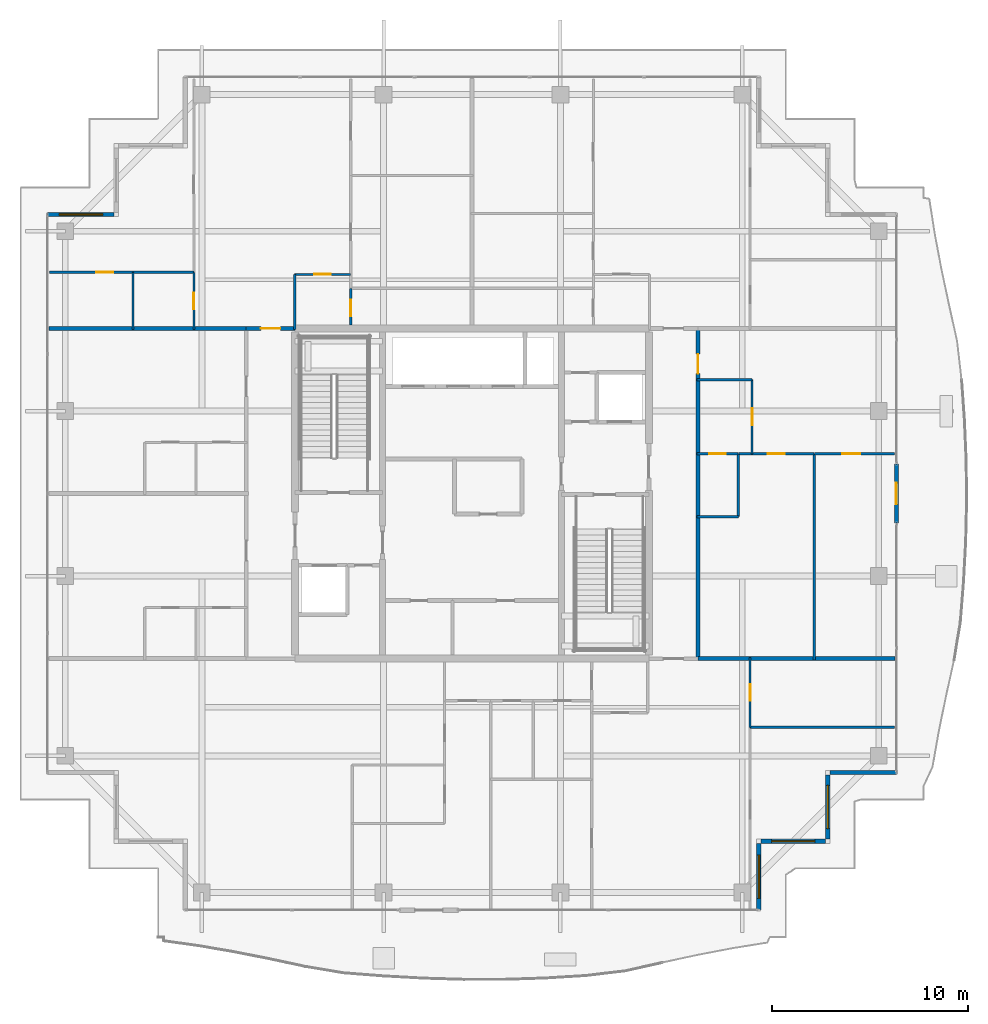
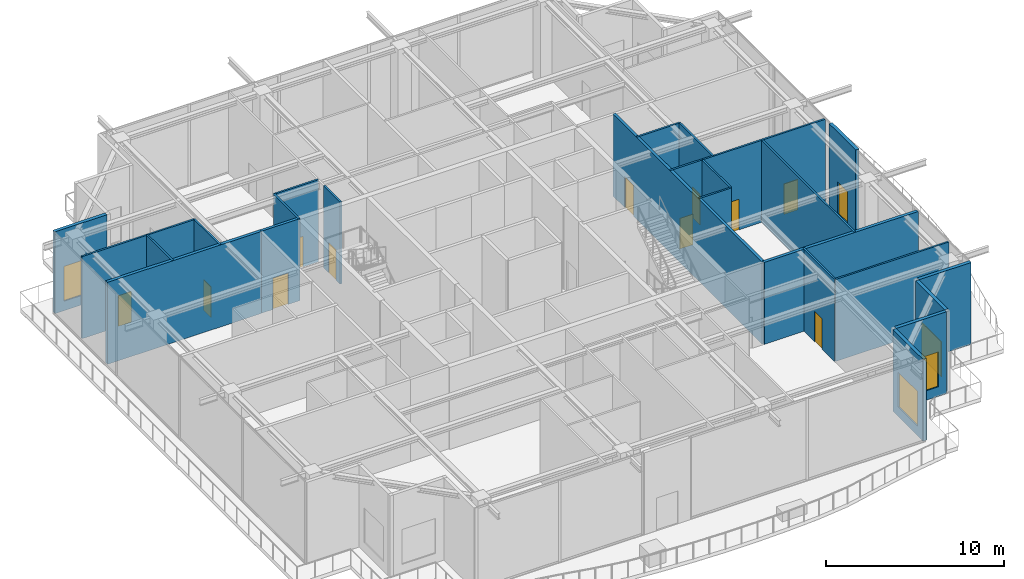
# One storey, part 29 of 38: 27 walls, 12 doors, 4 windows, 16 openings.
"""IFC4 building model written with IfcOpenShell, lengths in metres."""

from ifc_helpers import new_model, si_unit, direction, frame, frame_2d, origin, place, context, subcontext, project, spatial, rectangle, extrude, source, transform, mapped, material, layer, layer_set, type_object, element, fill, save


model = new_model("IFC4")

# Units and contexts
model_context = context("Model", 3, precision=1e-05, world=origin(), true_north=direction((0.0, 1.0)))
body_context = subcontext(model_context, "Body", "Model", "MODEL_VIEW")
ifc_project = project(units=[si_unit("LENGTHUNIT", "METRE"), si_unit("AREAUNIT", "SQUARE_METRE"), si_unit("VOLUMEUNIT", "CUBIC_METRE"), si_unit("PLANEANGLEUNIT", "RADIAN"), si_unit("MASSUNIT", "GRAM", prefix="KILO")], contexts=[model_context])

# Site, building, storey
site_placement = place(None, origin())
site = spatial("IfcSite", under=ifc_project, at=site_placement, CompositionType="ELEMENT")
building_placement = place(site_placement, origin())
building = spatial("IfcBuilding", under=site, at=building_placement, Name="Serunith Strait Residences", CompositionType="ELEMENT")
storey_placement = place(building_placement, frame((0.0, 0.0, 342.050048828125)))
storey = spatial("IfcBuildingStorey", under=building, at=storey_placement, Name="L85", CompositionType="ELEMENT", Elevation=342.050048828125)

# Wall, opening, window
ifc_material_1 = material(Name="Pale-Champagne Aluminium Insulated Panel", Category="aluminium")
ifc_layer_1 = layer(ifc_material_1, 0.219970703125, Name="Pale-Champagne Aluminium Insulated Panel")
ifc_layer_set_1 = layer_set([ifc_layer_1], Name="Pale-Champagne Aluminium Insulated Panel")
wall_type_1 = type_object("IfcWallType", Name="EW-ALUM-220", PredefinedType="ELEMENTEDWALL", material=ifc_layer_set_1)
wall_1_placement = place(storey_placement, frame((47.0, 4.0, 0.0), z_axis=(0.0, 0.0, 1.0), x_axis=(0.0, 1.0, 0.0)))
wall_1 = element("IfcWall", 1, at=wall_1_placement, inside=storey, type_object=wall_type_1, Name="L85 Girih Serrated Corner Wall 02", PredefinedType="ELEMENTEDWALL", context=body_context, shape_type="SweptSolid", body=[
    extrude(rectangle(XDim=3.389892578125, YDim=0.219970703125, at=frame_2d((1.69482421875, 0.0))), origin(), (0.0, 0.0, 1.0), 5.625),
])
opening_1_placement = place(wall_1_placement, frame((0.594970703125, 0.0, 0.64990234375)))
opening_1 = element("IfcOpeningElement", 2, at=opening_1_placement, cuts=wall_1, Name="Opening W-06", PredefinedType="OPENING", context=body_context, shape_type="SweptSolid", body=[
    extrude(rectangle(XDim=2.199951171875, YDim=2.39990234375, at=frame_2d((1.10009765625, 1.199951171875))), frame((0.0, 0.1201171875, 0.0), z_axis=(0.0, -1.0, 0.0), x_axis=(1.0, 0.0, 0.0)), (0.0, 0.0, 1.0), 0.239990234375),
])
ifc_material_2 = material(Name="Crown Penthouse Low-E Operable Window Glass", Category="glass")
window_type = type_object("IfcWindowType", Name="WIN-C6", PartitioningType="TRIPLE_PANEL_VERTICAL", PredefinedType="WINDOW", material=ifc_material_2)
shared_shape_1 = source(origin(), body_context, "Body", "SweptSolid", [
    extrude(rectangle(XDim=2.199951171875, YDim=2.39990234375, at=frame_2d((1.10009765625, 1.199951171875))), frame((0.0, 0.030029296875, 0.0), z_axis=(0.0, -1.0, 0.0), x_axis=(1.0, 0.0, 0.0)), (0.0, 0.0, 1.0), 0.06005859375),
])
window_1_placement = place(opening_1_placement, origin())
window_1 = element("IfcWindow", 3, at=window_1_placement, inside=storey, type_object=window_type, Name="L85 Corner Operable Fritted Window 02", OverallHeight=2.39990234375, OverallWidth=2.199951171875, PartitioningType="SINGLE_PANEL", PredefinedType="WINDOW", context=body_context, shape_type="MappedRepresentation", body=[
    mapped(shared_shape_1, transform((0.0, 0.0, 0.0), scale=1.0)),
])
fill(opening_1, window_1)

wall_2_placement = place(storey_placement, frame((47.110107421875, 7.5, 0.0), z_axis=(0.0, 0.0, 1.0), x_axis=(1.0, 0.0, 0.0)))
wall_2 = element("IfcWall", 4, at=wall_2_placement, inside=storey, type_object=wall_type_1, Name="L85 Girih Serrated Corner Wall 03", PredefinedType="ELEMENTEDWALL", context=body_context, shape_type="SweptSolid", body=[
    extrude(rectangle(XDim=3.27978515625, YDim=0.219970703125, at=frame_2d((1.639892578125, 0.0))), origin(), (0.0, 0.0, 1.0), 5.625),
])
opening_2_placement = place(wall_2_placement, frame((0.5400390625, 0.0, 0.64990234375)))
opening_2 = element("IfcOpeningElement", 5, at=opening_2_placement, cuts=wall_2, Name="Opening W-06", PredefinedType="OPENING", context=body_context, shape_type="SweptSolid", body=[
    extrude(rectangle(XDim=2.199951171875, YDim=2.39990234375, at=frame_2d((1.10009765625, 1.199951171875))), frame((0.0, 0.1201171875, 0.0), z_axis=(0.0, -1.0, 0.0), x_axis=(1.0, 0.0, 0.0)), (0.0, 0.0, 1.0), 0.239990234375),
])
window_2_placement = place(opening_2_placement, origin())
window_2 = element("IfcWindow", 6, at=window_2_placement, inside=storey, type_object=window_type, Name="L85 Corner Operable Fritted Window 03", OverallHeight=2.39990234375, OverallWidth=2.199951171875, PartitioningType="SINGLE_PANEL", PredefinedType="WINDOW", context=body_context, shape_type="MappedRepresentation", body=[
    mapped(shared_shape_1, transform((0.0, 0.0, 0.0), scale=1.0)),
])
fill(opening_2, window_2)

wall_3_placement = place(storey_placement, frame((50.5, 7.610107421875, 0.0), z_axis=(0.0, 0.0, 1.0), x_axis=(0.0, 1.0, 0.0)))
wall_3 = element("IfcWall", 7, at=wall_3_placement, inside=storey, type_object=wall_type_1, Name="L85 Girih Serrated Corner Wall 04", PredefinedType="ELEMENTEDWALL", context=body_context, shape_type="SweptSolid", body=[
    extrude(rectangle(XDim=3.27978515625, YDim=0.219970703125, at=frame_2d((1.639892578125, 0.0))), origin(), (0.0, 0.0, 1.0), 5.625),
])
opening_3_placement = place(wall_3_placement, frame((0.5400390625, 0.0, 0.64990234375)))
opening_3 = element("IfcOpeningElement", 8, at=opening_3_placement, cuts=wall_3, Name="Opening W-06", PredefinedType="OPENING", context=body_context, shape_type="SweptSolid", body=[
    extrude(rectangle(XDim=2.199951171875, YDim=2.39990234375, at=frame_2d((1.10009765625, 1.199951171875))), frame((0.0, 0.1201171875, 0.0), z_axis=(0.0, -1.0, 0.0), x_axis=(1.0, 0.0, 0.0)), (0.0, 0.0, 1.0), 0.239990234375),
])
window_3_placement = place(opening_3_placement, origin())
window_3 = element("IfcWindow", 9, at=window_3_placement, inside=storey, type_object=window_type, Name="L85 Corner Operable Fritted Window 04", OverallHeight=2.39990234375, OverallWidth=2.199951171875, PartitioningType="SINGLE_PANEL", PredefinedType="WINDOW", context=body_context, shape_type="MappedRepresentation", body=[
    mapped(shared_shape_1, transform((0.0, 0.0, 0.0), scale=1.0)),
])
fill(opening_3, window_3)

# Wall
wall_4_placement = place(storey_placement, frame((50.610107421875, 11.0, 0.0), z_axis=(0.0, 0.0, 1.0), x_axis=(1.0, 0.0, 0.0)))
element("IfcWall", 10, at=wall_4_placement, inside=storey, type_object=wall_type_1, Name="L85 Girih Serrated Corner Wall 05", PredefinedType="ELEMENTEDWALL", context=body_context, shape_type="SweptSolid", body=[
    extrude(rectangle(XDim=3.389892578125, YDim=0.219970703125, at=frame_2d((1.69482421875, 0.0))), origin(), (0.0, 0.0, 1.0), 5.625),
])

# Wall, opening, door
wall_5_placement = place(storey_placement, frame((54.0, 23.699951171875, 0.0), z_axis=(0.0, 0.0, 1.0), x_axis=(0.0, 1.0, 0.0)))
wall_5 = element("IfcWall", 11, at=wall_5_placement, inside=storey, type_object=wall_type_1, Name="L85 E Facade Pier Wall", PredefinedType="ELEMENTEDWALL", context=body_context, shape_type="SweptSolid", body=[
    extrude(rectangle(XDim=3.0, YDim=0.219970703125, at=frame_2d((1.5, 0.0))), origin(), (0.0, 0.0, 1.0), 5.625),
])
opening_4_placement = place(wall_5_placement, frame((0.949951171875, 0.0, 0.0)))
opening_4 = element("IfcOpeningElement", 12, at=opening_4_placement, cuts=wall_5, Name="Opening ED-03", PredefinedType="OPENING", context=body_context, shape_type="SweptSolid", body=[
    extrude(rectangle(XDim=1.10009765625, YDim=2.199951171875, at=frame_2d((0.550048828125, 1.10009765625))), frame((0.0, 0.1201171875, 0.0), z_axis=(0.0, -1.0, 0.0), x_axis=(1.0, 0.0, 0.0)), (0.0, 0.0, 1.0), 0.239990234375),
])
ifc_material_3 = material(Name="Thermally-Broken Aluminium Glazed Balcony Door", Category="aluminium")
door_type_1 = type_object("IfcDoorType", Name="ED-BALC-1100", OperationType="NOTDEFINED", PredefinedType="DOOR", material=ifc_material_3)
shared_shape_2 = source(origin(), body_context, "Body", "SweptSolid", [
    extrude(rectangle(XDim=1.10009765625, YDim=2.199951171875, at=frame_2d((0.550048828125, 1.10009765625))), frame((0.0, 0.02490234375, 0.0), z_axis=(0.0, -1.0, 0.0), x_axis=(1.0, 0.0, 0.0)), (0.0, 0.0, 1.0), 0.050048828125),
])
door_1_placement = place(opening_4_placement, origin())
door_1 = element("IfcDoor", 13, at=door_1_placement, inside=storey, type_object=door_type_1, Name="L85 E Vertical-Forest Balcony Door", OperationType="SINGLE_SWING_RIGHT", OverallHeight=2.199951171875, OverallWidth=1.10009765625, PredefinedType="DOOR", context=body_context, shape_type="MappedRepresentation", body=[
    mapped(shared_shape_2, transform((0.0, 0.0, 0.0), scale=1.0)),
])
fill(opening_4, door_1)

# Wall, opening, window
wall_6_placement = place(storey_placement, frame((14.18994140625, 39.39990234375, 0.0), z_axis=(0.0, 0.0, 1.0), x_axis=(-1.0, 0.0, 0.0)))
wall_6 = element("IfcWall", 14, at=wall_6_placement, inside=storey, type_object=wall_type_1, Name="L85 Girih Serrated Corner Wall 15", PredefinedType="ELEMENTEDWALL", context=body_context, shape_type="SweptSolid", body=[
    extrude(rectangle(XDim=3.389892578125, YDim=0.219970703125, at=frame_2d((1.69482421875, 0.0))), origin(), (0.0, 0.0, 1.0), 5.625),
])
opening_5_placement = place(wall_6_placement, frame((0.594970703125, 0.0, 0.64990234375)))
opening_5 = element("IfcOpeningElement", 15, at=opening_5_placement, cuts=wall_6, Name="Opening W-06", PredefinedType="OPENING", context=body_context, shape_type="SweptSolid", body=[
    extrude(rectangle(XDim=2.199951171875, YDim=2.39990234375, at=frame_2d((1.10009765625, 1.199951171875))), frame((0.0, 0.1201171875, 0.0), z_axis=(0.0, -1.0, 0.0), x_axis=(1.0, 0.0, 0.0)), (0.0, 0.0, 1.0), 0.239990234375),
])
window_4_placement = place(opening_5_placement, origin())
window_4 = element("IfcWindow", 16, at=window_4_placement, inside=storey, type_object=window_type, Name="L85 Corner Operable Fritted Window 15", OverallHeight=2.39990234375, OverallWidth=2.199951171875, PartitioningType="SINGLE_PANEL", PredefinedType="WINDOW", context=body_context, shape_type="MappedRepresentation", body=[
    mapped(shared_shape_1, transform((0.0, 0.0, 0.0), scale=1.0)),
])
fill(opening_5, window_4)

# Wall, opening, door
ifc_material_4 = material(Name="Fire-rated acoustic gypsum partition")
ifc_layer_2 = layer(ifc_material_4, 0.179931640625, Name="Fire-rated acoustic gypsum partition")
ifc_layer_set_2 = layer_set([ifc_layer_2], Name="Fire-rated acoustic gypsum partition")
wall_type_2 = type_object("IfcWallType", Name="IW-CORR-180", PredefinedType="PARTITIONING", material=ifc_layer_set_2)
wall_7_placement = place(storey_placement, frame((20.902099609375, 33.60009765625, 0.0), z_axis=(0.0, 0.0, 1.0), x_axis=(1.0, 0.0, 0.0)))
wall_7 = element("IfcWall", 17, at=wall_7_placement, inside=storey, type_object=wall_type_2, Name="L85 Partition Wall 026", PredefinedType="PARTITIONING", context=body_context, shape_type="SweptSolid", body=[
    extrude(rectangle(XDim=2.495849609375, YDim=0.179931640625, at=frame_2d((1.248046875, 0.0))), origin(), (0.0, 0.0, 1.0), 5.639892578125),
])
opening_6_placement = place(wall_7_placement, frame((0.748046875, 0.0, 0.0)))
opening_6 = element("IfcOpeningElement", 18, at=opening_6_placement, cuts=wall_7, Name="Opening D-APT1000", PredefinedType="OPENING", context=body_context, shape_type="SweptSolid", body=[
    extrude(rectangle(XDim=1.0, YDim=2.14990234375, at=frame_2d((0.5, 1.074951171875))), frame((0.0, 0.10009765625, 0.0), z_axis=(0.0, -1.0, 0.0), x_axis=(1.0, 0.0, 0.0)), (0.0, 0.0, 1.0), 0.199951171875),
])
ifc_material_5 = material(Name="Solid timber engineered fire door", Category="wood")
door_type_2 = type_object("IfcDoorType", Name="ID-APT-1000", OperationType="NOTDEFINED", PredefinedType="DOOR", material=ifc_material_5)
shared_shape_3 = source(origin(), body_context, "Body", "SweptSolid", [
    extrude(rectangle(XDim=1.0, YDim=2.14990234375, at=frame_2d((0.5, 1.074951171875))), frame((0.0, 0.02490234375, 0.0), z_axis=(0.0, -1.0, 0.0), x_axis=(1.0, 0.0, 0.0)), (0.0, 0.0, 1.0), 0.050048828125),
])
door_2_placement = place(opening_6_placement, origin())
door_2 = element("IfcDoor", 19, at=door_2_placement, inside=storey, type_object=door_type_2, Name="L85 Unit 02 Entrance Door", OperationType="SINGLE_SWING_LEFT", OverallHeight=2.14990234375, OverallWidth=1.0, PredefinedType="DOOR", context=body_context, shape_type="MappedRepresentation", body=[
    mapped(shared_shape_3, transform((0.0, 0.0, 0.0), scale=1.0)),
])
fill(opening_6, door_2)

wall_8_placement = place(storey_placement, frame((43.89990234375, 16.800048828125, 0.0), z_axis=(0.0, 0.0, 1.0), x_axis=(0.0, 1.0, 0.0)))
wall_8 = element("IfcWall", 20, at=wall_8_placement, inside=storey, type_object=wall_type_2, Name="L85 Partition Wall 030", PredefinedType="PARTITIONING", context=body_context, shape_type="SweptSolid", body=[
    extrude(rectangle(XDim=16.800048828125, YDim=0.179931640625, at=frame_2d((8.39990234375, 0.0))), origin(), (0.0, 0.0, 1.0), 5.639892578125),
])
opening_7_placement = place(wall_8_placement, frame((14.5, 0.0, 0.0)))
opening_7 = element("IfcOpeningElement", 21, at=opening_7_placement, cuts=wall_8, Name="Opening D-APT1000", PredefinedType="OPENING", context=body_context, shape_type="SweptSolid", body=[
    extrude(rectangle(XDim=1.0, YDim=2.14990234375, at=frame_2d((0.5, 1.074951171875))), frame((0.0, 0.10009765625, 0.0), z_axis=(0.0, -1.0, 0.0), x_axis=(1.0, 0.0, 0.0)), (0.0, 0.0, 1.0), 0.199951171875),
])
door_3_placement = place(opening_7_placement, origin())
door_3 = element("IfcDoor", 22, at=door_3_placement, inside=storey, type_object=door_type_2, Name="L85 Unit 06 Entrance Door", OperationType="SINGLE_SWING_RIGHT", OverallHeight=2.14990234375, OverallWidth=1.0, PredefinedType="DOOR", context=body_context, shape_type="MappedRepresentation", body=[
    mapped(shared_shape_3, transform((0.0, 0.0, 0.0), scale=1.0)),
])
fill(opening_7, door_3)

# Wall
ifc_material_6 = material(Name="Lightweight steel-stud gypsum partition", Category="steel")
ifc_layer_3 = layer(ifc_material_6, 0.1201171875, Name="Lightweight steel-stud gypsum partition")
ifc_layer_set_3 = layer_set([ifc_layer_3], Name="Lightweight steel-stud gypsum partition")
wall_type_3 = type_object("IfcWallType", Name="IW-PART-120", PredefinedType="PARTITIONING", material=ifc_layer_set_3)
wall_9_placement = place(storey_placement, frame((46.550048828125, 13.300048828125, 0.0), z_axis=(0.0, 0.0, 1.0), x_axis=(1.0, 0.0, 0.0)))
element("IfcWall", 23, at=wall_9_placement, inside=storey, type_object=wall_type_3, Name="L85 Partition Wall 049", PredefinedType="PARTITIONING", context=body_context, shape_type="SweptSolid", body=[
    extrude(rectangle(XDim=7.35498046875, YDim=0.1201171875, at=frame_2d((3.677490234375, 0.0))), origin(), (0.0, 0.0, 1.0), 5.639892578125),
])

# Wall, opening, door
wall_10_placement = place(storey_placement, frame((46.550048828125, 13.302001953125, 0.0), z_axis=(0.0, 0.0, 1.0), x_axis=(0.0, 1.0, 0.0)))
wall_10 = element("IfcWall", 24, at=wall_10_placement, inside=storey, type_object=wall_type_3, Name="L85 Partition Wall 050", PredefinedType="PARTITIONING", context=body_context, shape_type="SweptSolid", body=[
    extrude(rectangle(XDim=3.55810546875, YDim=0.1201171875, at=frame_2d((1.779052734375, 0.0))), origin(), (0.0, 0.0, 1.0), 5.639892578125),
])
opening_8_placement = place(wall_10_placement, frame((1.35400390625, 0.0, 0.0)))
opening_8 = element("IfcOpeningElement", 25, at=opening_8_placement, cuts=wall_10, Name="Opening D-RM850", PredefinedType="OPENING", context=body_context, shape_type="SweptSolid", body=[
    extrude(rectangle(XDim=0.85009765625, YDim=2.10009765625, at=frame_2d((0.425048828125, 1.050048828125))), frame((0.0, 0.070068359375, 0.0), z_axis=(0.0, -1.0, 0.0), x_axis=(1.0, 0.0, 0.0)), (0.0, 0.0, 1.0), 0.14013671875),
])
ifc_material_7 = material(Name="Engineered timber flush study and kitchen door", Category="wood")
door_type_3 = type_object("IfcDoorType", Name="ID-ROOM-850", OperationType="NOTDEFINED", PredefinedType="DOOR", material=ifc_material_7)
shared_shape_4 = source(origin(), body_context, "Body", "SweptSolid", [
    extrude(rectangle(XDim=0.85009765625, YDim=2.10009765625, at=frame_2d((0.425048828125, 1.050048828125))), frame((0.0, 0.02490234375, 0.0), z_axis=(0.0, -1.0, 0.0), x_axis=(1.0, 0.0, 0.0)), (0.0, 0.0, 1.0), 0.050048828125),
])
door_4_placement = place(opening_8_placement, origin())
door_4 = element("IfcDoor", 26, at=door_4_placement, inside=storey, type_object=door_type_3, Name="L85 Walk-in Wardrobe 8501 Door", OperationType="SINGLE_SWING_RIGHT", OverallHeight=2.10009765625, OverallWidth=0.85009765625, PredefinedType="DOOR", context=body_context, shape_type="MappedRepresentation", body=[
    mapped(shared_shape_4, transform((0.0, 0.0, 0.0), scale=1.0)),
])
fill(opening_8, door_4)

wall_11_placement = place(storey_placement, frame((23.3701171875, 36.35009765625, 0.0), z_axis=(0.0, 0.0, 1.0), x_axis=(1.0, 0.0, 0.0)))
wall_11 = element("IfcWall", 27, at=wall_11_placement, inside=storey, type_object=wall_type_3, Name="L85 Partition Wall 051", PredefinedType="PARTITIONING", context=body_context, shape_type="SweptSolid", body=[
    extrude(rectangle(XDim=2.849853515625, YDim=0.1201171875, at=frame_2d((1.4248046875, 0.0))), origin(), (0.0, 0.0, 1.0), 5.639892578125),
])
opening_9_placement = place(wall_11_placement, frame((1.0, 0.0, 0.0)))
opening_9 = element("IfcOpeningElement", 28, at=opening_9_placement, cuts=wall_11, Name="Opening D-RM850", PredefinedType="OPENING", context=body_context, shape_type="SweptSolid", body=[
    extrude(rectangle(XDim=0.85009765625, YDim=2.10009765625, at=frame_2d((0.425048828125, 1.050048828125))), frame((0.0, 0.070068359375, 0.0), z_axis=(0.0, -1.0, 0.0), x_axis=(1.0, 0.0, 0.0)), (0.0, 0.0, 1.0), 0.14013671875),
])
door_5_placement = place(opening_9_placement, origin())
door_5 = element("IfcDoor", 29, at=door_5_placement, inside=storey, type_object=door_type_3, Name="L85 Kitchen 8502 Door", OperationType="SINGLE_SWING_LEFT", OverallHeight=2.10009765625, OverallWidth=0.85009765625, PredefinedType="DOOR", context=body_context, shape_type="MappedRepresentation", body=[
    mapped(shared_shape_4, transform((0.0, 0.0, 0.0), scale=1.0)),
])
fill(opening_9, door_5)

# Wall
wall_12_placement = place(storey_placement, frame((23.3701171875, 36.35009765625, 0.0), z_axis=(0.0, 0.0, 1.0), x_axis=(0.0, -1.0, 0.0)))
element("IfcWall", 30, at=wall_12_placement, inside=storey, type_object=wall_type_3, Name="L85 Partition Wall 052", PredefinedType="PARTITIONING", context=body_context, shape_type="SweptSolid", body=[
    extrude(rectangle(XDim=2.81005859375, YDim=0.1201171875, at=frame_2d((1.405029296875, 0.0))), origin(), (0.0, 0.0, 1.0), 5.639892578125),
])

# Wall, opening, door
wall_13_placement = place(storey_placement, frame((10.89501953125, 36.4560546875, 0.0), z_axis=(0.0, 0.0, 1.0), x_axis=(1.0, 0.0, 0.0)))
wall_13 = element("IfcWall", 31, at=wall_13_placement, inside=storey, type_object=wall_type_3, Name="L85 Partition Wall 054", PredefinedType="PARTITIONING", context=body_context, shape_type="SweptSolid", body=[
    extrude(rectangle(XDim=4.2548828125, YDim=0.1201171875, at=frame_2d((2.12744140625, 0.0))), origin(), (0.0, 0.0, 1.0), 5.639892578125),
])
opening_10_placement = place(wall_13_placement, frame((2.384033203125, 0.0, 0.0)))
opening_10 = element("IfcOpeningElement", 32, at=opening_10_placement, cuts=wall_13, Name="Opening D-RM850", PredefinedType="OPENING", context=body_context, shape_type="SweptSolid", body=[
    extrude(rectangle(XDim=0.85009765625, YDim=2.10009765625, at=frame_2d((0.425048828125, 1.050048828125))), frame((0.0, 0.070068359375, 0.0), z_axis=(0.0, -1.0, 0.0), x_axis=(1.0, 0.0, 0.0)), (0.0, 0.0, 1.0), 0.14013671875),
])
door_6_placement = place(opening_10_placement, origin())
door_6 = element("IfcDoor", 33, at=door_6_placement, inside=storey, type_object=door_type_3, Name="L85 Wardrobe 8502 Door", OperationType="SINGLE_SWING_LEFT", OverallHeight=2.10009765625, OverallWidth=0.85009765625, PredefinedType="DOOR", context=body_context, shape_type="MappedRepresentation", body=[
    mapped(shared_shape_4, transform((0.0, 0.0, 0.0), scale=1.0)),
])
fill(opening_10, door_6)

# Walls
wall_14_placement = place(storey_placement, frame((15.152099609375, 36.4560546875, 0.0), z_axis=(0.0, 0.0, 1.0), x_axis=(1.0, 0.0, 0.0)))
element("IfcWall", 34, at=wall_14_placement, inside=storey, type_object=wall_type_3, Name="L85 Partition Wall 055", PredefinedType="PARTITIONING", context=body_context, shape_type="SweptSolid", body=[
    extrude(rectangle(XDim=3.097900390625, YDim=0.1201171875, at=frame_2d((1.548828125, 0.0))), origin(), (0.0, 0.0, 1.0), 5.639892578125),
])
wall_15_placement = place(storey_placement, frame((15.14990234375, 36.4560546875, 0.0), z_axis=(0.0, 0.0, 1.0), x_axis=(0.0, -1.0, 0.0)))
element("IfcWall", 35, at=wall_15_placement, inside=storey, type_object=wall_type_3, Name="L85 Partition Wall 056", PredefinedType="PARTITIONING", context=body_context, shape_type="SweptSolid", body=[
    extrude(rectangle(XDim=2.916015625, YDim=0.1201171875, at=frame_2d((1.4580078125, 0.0))), origin(), (0.0, 0.0, 1.0), 5.639892578125),
])

# Wall, opening, door
wall_16_placement = place(storey_placement, frame((18.25, 36.4541015625, 0.0), z_axis=(0.0, 0.0, 1.0), x_axis=(0.0, -1.0, 0.0)))
wall_16 = element("IfcWall", 36, at=wall_16_placement, inside=storey, type_object=wall_type_3, Name="L85 Partition Wall 057", PredefinedType="PARTITIONING", context=body_context, shape_type="SweptSolid", body=[
    extrude(rectangle(XDim=2.9140625, YDim=0.1201171875, at=frame_2d((1.45703125, 0.0))), origin(), (0.0, 0.0, 1.0), 5.639892578125),
])
opening_11_placement = place(wall_16_placement, frame((1.031982421875, 0.0, 0.0)))
opening_11 = element("IfcOpeningElement", 37, at=opening_11_placement, cuts=wall_16, Name="Opening D-BTH850", PredefinedType="OPENING", context=body_context, shape_type="SweptSolid", body=[
    extrude(rectangle(XDim=0.85009765625, YDim=2.10009765625, at=frame_2d((0.425048828125, 1.050048828125))), frame((0.0, 0.070068359375, 0.0), z_axis=(0.0, -1.0, 0.0), x_axis=(1.0, 0.0, 0.0)), (0.0, 0.0, 1.0), 0.14013671875),
])
ifc_material_8 = material(Name="Moisture-resistant timber bathroom door", Category="wood")
door_type_4 = type_object("IfcDoorType", Name="ID-BATH-850", OperationType="NOTDEFINED", PredefinedType="DOOR", material=ifc_material_8)
door_7_placement = place(opening_11_placement, origin())
door_7 = element("IfcDoor", 38, at=door_7_placement, inside=storey, type_object=door_type_4, Name="L85 Bathroom 8502 Door", OperationType="SINGLE_SWING_RIGHT", OverallHeight=2.10009765625, OverallWidth=0.85009765625, PredefinedType="DOOR", context=body_context, shape_type="MappedRepresentation", body=[
    mapped(shared_shape_4, transform((0.0, 0.0, 0.0), scale=1.0)),
])
fill(opening_11, door_7)

wall_17_placement = place(storey_placement, frame((26.219970703125, 35.64794921875, 0.0), z_axis=(0.0, 0.0, 1.0), x_axis=(0.0, -1.0, 0.0)))
wall_17 = element("IfcWall", 39, at=wall_17_placement, inside=storey, type_object=wall_type_3, Name="L85 Partition Wall 062", PredefinedType="PARTITIONING", context=body_context, shape_type="SweptSolid", body=[
    extrude(rectangle(XDim=1.873046875, YDim=0.1201171875, at=frame_2d((0.9365234375, 0.0))), origin(), (0.0, 0.0, 1.0), 5.639892578125),
])
opening_12_placement = place(wall_17_placement, frame((0.574951171875, 0.0, 0.0)))
opening_12 = element("IfcOpeningElement", 40, at=opening_12_placement, cuts=wall_17, Name="Opening D-BTH850", PredefinedType="OPENING", context=body_context, shape_type="SweptSolid", body=[
    extrude(rectangle(XDim=0.85009765625, YDim=2.10009765625, at=frame_2d((0.425048828125, 1.050048828125))), frame((0.0, 0.070068359375, 0.0), z_axis=(0.0, -1.0, 0.0), x_axis=(1.0, 0.0, 0.0)), (0.0, 0.0, 1.0), 0.14013671875),
])
door_8_placement = place(opening_12_placement, origin())
door_8 = element("IfcDoor", 41, at=door_8_placement, inside=storey, type_object=door_type_4, Name="L85 Bathroom 8502 Door", OperationType="SINGLE_SWING_LEFT", OverallHeight=2.10009765625, OverallWidth=0.85009765625, PredefinedType="DOOR", context=body_context, shape_type="MappedRepresentation", body=[
    mapped(shared_shape_4, transform((0.0, 0.0, 0.0), scale=1.0)),
])
fill(opening_12, door_8)

wall_18_placement = place(storey_placement, frame((46.64990234375, 27.219970703125, 0.0), z_axis=(0.0, 0.0, 1.0), x_axis=(0.0, 1.0, 0.0)))
wall_18 = element("IfcWall", 42, at=wall_18_placement, inside=storey, type_object=wall_type_3, Name="L85 Partition Wall 081", PredefinedType="PARTITIONING", context=body_context, shape_type="SweptSolid", body=[
    extrude(rectangle(XDim=3.780029296875, YDim=0.1201171875, at=frame_2d((1.89013671875, 0.0))), origin(), (0.0, 0.0, 1.0), 5.639892578125),
])
opening_13_placement = place(wall_18_placement, frame((1.465087890625, 0.0, 0.0)))
opening_13 = element("IfcOpeningElement", 43, at=opening_13_placement, cuts=wall_18, Name="Opening D-RM850", PredefinedType="OPENING", context=body_context, shape_type="SweptSolid", body=[
    extrude(rectangle(XDim=0.85009765625, YDim=2.10009765625, at=frame_2d((0.425048828125, 1.050048828125))), frame((0.0, 0.070068359375, 0.0), z_axis=(0.0, -1.0, 0.0), x_axis=(1.0, 0.0, 0.0)), (0.0, 0.0, 1.0), 0.14013671875),
])
door_9_placement = place(opening_13_placement, origin())
door_9 = element("IfcDoor", 44, at=door_9_placement, inside=storey, type_object=door_type_3, Name="L85 Kitchen 8506 Door", OperationType="SINGLE_SWING_RIGHT", OverallHeight=2.10009765625, OverallWidth=0.85009765625, PredefinedType="DOOR", context=body_context, shape_type="MappedRepresentation", body=[
    mapped(shared_shape_4, transform((0.0, 0.0, 0.0), scale=1.0)),
])
fill(opening_13, door_9)

# Wall
wall_19_placement = place(storey_placement, frame((46.64990234375, 31.0, 0.0), z_axis=(0.0, 0.0, 1.0), x_axis=(-1.0, 0.0, 0.0)))
element("IfcWall", 45, at=wall_19_placement, inside=storey, type_object=wall_type_3, Name="L85 Partition Wall 082", PredefinedType="PARTITIONING", context=body_context, shape_type="SweptSolid", body=[
    extrude(rectangle(XDim=2.809814453125, YDim=0.1201171875, at=frame_2d((1.40478515625, 0.0))), origin(), (0.0, 0.0, 1.0), 5.639892578125),
])

# Wall, opening, door
wall_20_placement = place(storey_placement, frame((53.905029296875, 27.219970703125, 0.0), z_axis=(0.0, 0.0, 1.0), x_axis=(-1.0, 0.0, 0.0)))
wall_20 = element("IfcWall", 46, at=wall_20_placement, inside=storey, type_object=wall_type_3, Name="L85 Partition Wall 083", PredefinedType="PARTITIONING", context=body_context, shape_type="SweptSolid", body=[
    extrude(rectangle(XDim=4.088134765625, YDim=0.1201171875, at=frame_2d((2.0439453125, 0.0))), origin(), (0.0, 0.0, 1.0), 5.639892578125),
])
opening_14_placement = place(wall_20_placement, frame((1.7529296875, 0.0, 0.0)))
opening_14 = element("IfcOpeningElement", 47, at=opening_14_placement, cuts=wall_20, Name="Opening D-RM900", PredefinedType="OPENING", context=body_context, shape_type="SweptSolid", body=[
    extrude(rectangle(XDim=0.89990234375, YDim=2.10009765625, at=frame_2d((0.449951171875, 1.050048828125))), frame((0.0, 0.070068359375, 0.0), z_axis=(0.0, -1.0, 0.0), x_axis=(1.0, 0.0, 0.0)), (0.0, 0.0, 1.0), 0.14013671875),
])
ifc_material_9 = material(Name="Engineered timber flush bedroom door", Category="wood")
door_type_5 = type_object("IfcDoorType", Name="ID-ROOM-900", OperationType="NOTDEFINED", PredefinedType="DOOR", material=ifc_material_9)
shared_shape_5 = source(origin(), body_context, "Body", "SweptSolid", [
    extrude(rectangle(XDim=0.89990234375, YDim=2.10009765625, at=frame_2d((0.449951171875, 1.050048828125))), frame((0.0, 0.02490234375, 0.0), z_axis=(0.0, -1.0, 0.0), x_axis=(1.0, 0.0, 0.0)), (0.0, 0.0, 1.0), 0.050048828125),
])
door_10_placement = place(opening_14_placement, origin())
door_10 = element("IfcDoor", 48, at=door_10_placement, inside=storey, type_object=door_type_5, Name="L85 Master Bedroom 1 8506 Door", OperationType="SINGLE_SWING_LEFT", OverallHeight=2.10009765625, OverallWidth=0.89990234375, PredefinedType="DOOR", context=body_context, shape_type="MappedRepresentation", body=[
    mapped(shared_shape_5, transform((0.0, 0.0, 0.0), scale=1.0)),
])
fill(opening_14, door_10)

# Walls
wall_21_placement = place(storey_placement, frame((49.81689453125, 16.739990234375, 0.0), z_axis=(0.0, 0.0, 1.0), x_axis=(0.0, 1.0, 0.0)))
element("IfcWall", 49, at=wall_21_placement, inside=storey, type_object=wall_type_3, Name="L85 Partition Wall 084", PredefinedType="PARTITIONING", context=body_context, shape_type="SweptSolid", body=[
    extrude(rectangle(XDim=10.47998046875, YDim=0.1201171875, at=frame_2d((5.239990234375, 0.0))), origin(), (0.0, 0.0, 1.0), 5.639892578125),
])
wall_22_placement = place(storey_placement, frame((45.949951171875, 24.02001953125, 0.0), z_axis=(0.0, 0.0, 1.0), x_axis=(0.0, 1.0, 0.0)))
element("IfcWall", 50, at=wall_22_placement, inside=storey, type_object=wall_type_3, Name="L85 Partition Wall 085", PredefinedType="PARTITIONING", context=body_context, shape_type="SweptSolid", body=[
    extrude(rectangle(XDim=3.199951171875, YDim=0.1201171875, at=frame_2d((1.60009765625, 0.0))), origin(), (0.0, 0.0, 1.0), 5.639892578125),
])
wall_23_placement = place(storey_placement, frame((45.949951171875, 24.02001953125, 0.0), z_axis=(0.0, 0.0, 1.0), x_axis=(-1.0, 0.0, 0.0)))
element("IfcWall", 51, at=wall_23_placement, inside=storey, type_object=wall_type_3, Name="L85 Partition Wall 086", PredefinedType="PARTITIONING", context=body_context, shape_type="SweptSolid", body=[
    extrude(rectangle(XDim=2.10986328125, YDim=0.1201171875, at=frame_2d((1.054931640625, 0.0))), origin(), (0.0, 0.0, 1.0), 5.639892578125),
])

# Wall, opening, door
wall_24_placement = place(storey_placement, frame((49.81494140625, 27.219970703125, 0.0), z_axis=(0.0, 0.0, 1.0), x_axis=(-1.0, 0.0, 0.0)))
wall_24 = element("IfcWall", 52, at=wall_24_placement, inside=storey, type_object=wall_type_3, Name="L85 Partition Wall 087", PredefinedType="PARTITIONING", context=body_context, shape_type="SweptSolid", body=[
    extrude(rectangle(XDim=3.864990234375, YDim=0.1201171875, at=frame_2d((1.9326171875, 0.0))), origin(), (0.0, 0.0, 1.0), 5.639892578125),
])
opening_15_placement = place(wall_24_placement, frame((1.507080078125, 0.0, 0.0)))
opening_15 = element("IfcOpeningElement", 53, at=opening_15_placement, cuts=wall_24, Name="Opening D-RM850", PredefinedType="OPENING", context=body_context, shape_type="SweptSolid", body=[
    extrude(rectangle(XDim=0.85009765625, YDim=2.10009765625, at=frame_2d((0.425048828125, 1.050048828125))), frame((0.0, 0.070068359375, 0.0), z_axis=(0.0, -1.0, 0.0), x_axis=(1.0, 0.0, 0.0)), (0.0, 0.0, 1.0), 0.14013671875),
])
door_11_placement = place(opening_15_placement, origin())
door_11 = element("IfcDoor", 54, at=door_11_placement, inside=storey, type_object=door_type_3, Name="L85 Walk-in Wardrobe 8506 Door", OperationType="SINGLE_SWING_RIGHT", OverallHeight=2.10009765625, OverallWidth=0.85009765625, PredefinedType="DOOR", context=body_context, shape_type="MappedRepresentation", body=[
    mapped(shared_shape_4, transform((0.0, 0.0, 0.0), scale=1.0)),
])
fill(opening_15, door_11)

wall_25_placement = place(storey_placement, frame((45.947998046875, 27.219970703125, 0.0), z_axis=(0.0, 0.0, 1.0), x_axis=(-1.0, 0.0, 0.0)))
wall_25 = element("IfcWall", 55, at=wall_25_placement, inside=storey, type_object=wall_type_3, Name="L85 Partition Wall 088", PredefinedType="PARTITIONING", context=body_context, shape_type="SweptSolid", body=[
    extrude(rectangle(XDim=2.10791015625, YDim=0.1201171875, at=frame_2d((1.053955078125, 0.0))), origin(), (0.0, 0.0, 1.0), 5.639892578125),
])
opening_16_placement = place(wall_25_placement, frame((0.62890625, 0.0, 0.0)))
opening_16 = element("IfcOpeningElement", 56, at=opening_16_placement, cuts=wall_25, Name="Opening D-BTH850", PredefinedType="OPENING", context=body_context, shape_type="SweptSolid", body=[
    extrude(rectangle(XDim=0.85009765625, YDim=2.10009765625, at=frame_2d((0.425048828125, 1.050048828125))), frame((0.0, 0.070068359375, 0.0), z_axis=(0.0, -1.0, 0.0), x_axis=(1.0, 0.0, 0.0)), (0.0, 0.0, 1.0), 0.14013671875),
])
door_12_placement = place(opening_16_placement, origin())
door_12 = element("IfcDoor", 57, at=door_12_placement, inside=storey, type_object=door_type_4, Name="L85 Bathroom 8506 Door", OperationType="SINGLE_SWING_LEFT", OverallHeight=2.10009765625, OverallWidth=0.85009765625, PredefinedType="DOOR", context=body_context, shape_type="MappedRepresentation", body=[
    mapped(shared_shape_4, transform((0.0, 0.0, 0.0), scale=1.0)),
])
fill(opening_16, door_12)

# Walls
ifc_material_10 = material(Name="Twin-stud acoustic gypsum board partition")
ifc_layer_4 = layer(ifc_material_10, 0.199951171875, Name="Twin-stud acoustic gypsum board partition")
ifc_layer_set_4 = layer_set([ifc_layer_4], Name="Twin-stud acoustic gypsum board partition")
wall_type_4 = type_object("IfcWallType", Name="IW-PARTY-200", PredefinedType="PARTITIONING", material=ifc_layer_set_4)
wall_26_placement = place(storey_placement, frame((43.89990234375, 16.800048828125, 0.0), z_axis=(0.0, 0.0, 1.0), x_axis=(1.0, 0.0, 0.0)))
element("IfcWall", 58, at=wall_26_placement, inside=storey, type_object=wall_type_4, Name="L85 Partition Wall 022", PredefinedType="PARTITIONING", context=body_context, shape_type="SweptSolid", body=[
    extrude(rectangle(XDim=10.01806640625, YDim=0.199951171875, at=frame_2d((5.009033203125, 0.0))), origin(), (0.0, 0.0, 1.0), 5.639892578125),
])
wall_27_placement = place(storey_placement, frame((10.882080078125, 33.60009765625, 0.0), z_axis=(0.0, 0.0, 1.0), x_axis=(1.0, 0.0, 0.0)))
element("IfcWall", 59, at=wall_27_placement, inside=storey, type_object=wall_type_4, Name="L85 Partition Wall 023", PredefinedType="PARTITIONING", context=body_context, shape_type="SweptSolid", body=[
    extrude(rectangle(XDim=10.017822265625, YDim=0.199951171875, at=frame_2d((5.0087890625, 0.0))), origin(), (0.0, 0.0, 1.0), 5.639892578125),
])

save(model, "model.ifc")
